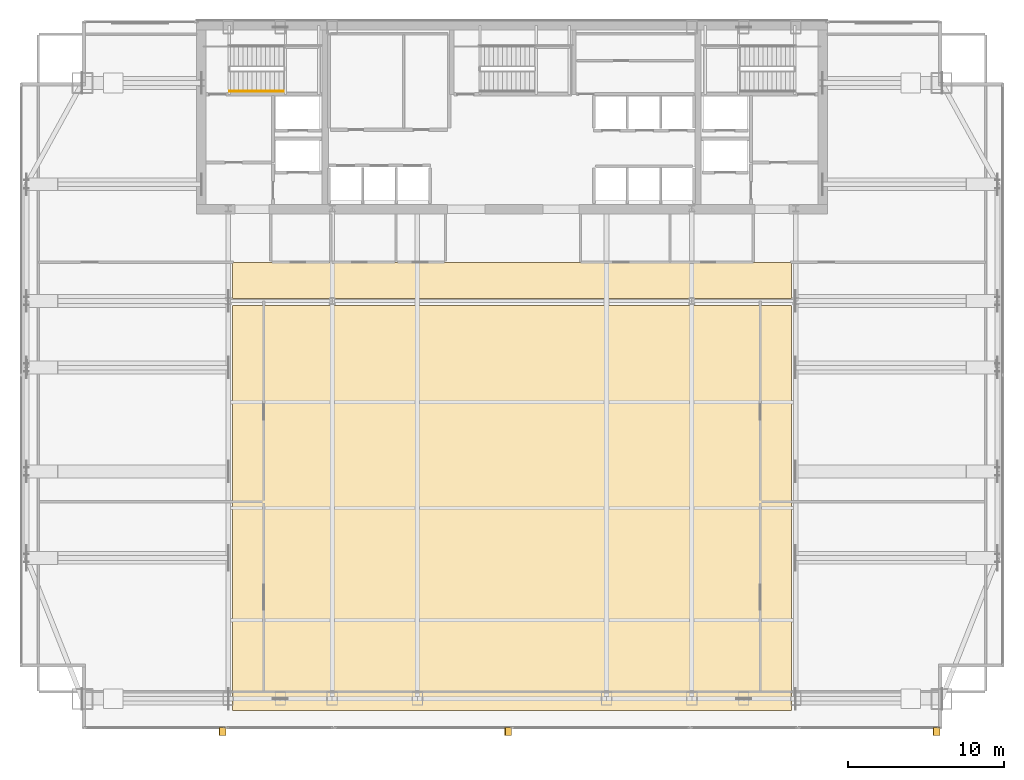
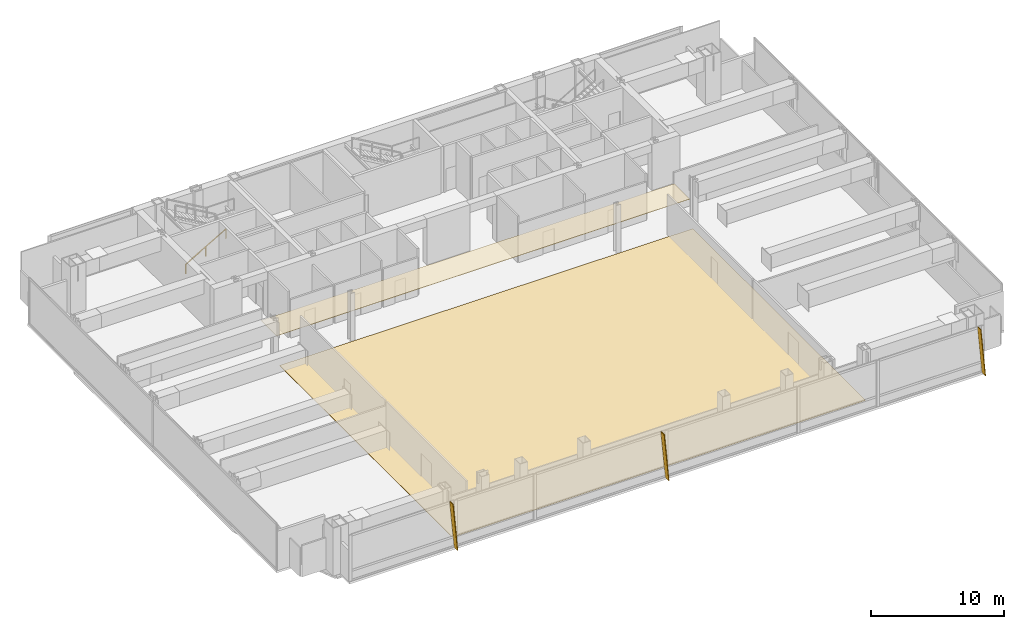
# One storey, part 24 of 25: 3 shading devices, 2 coverings, 1 railing.
"""IFC4 building model written with IfcOpenShell, lengths in metres."""

from ifc_helpers import new_model, si_unit, direction, frame, origin, origin_2d, place, context, subcontext, project, spatial, polyline, rectangle, outline, extrude, material, layer, layer_set, type_object, element, save


model = new_model("IFC4")

# Units and contexts
model_context = context("Model", 3, precision=1e-05, world=origin(), true_north=direction((0.0, 1.0)))
body_context = subcontext(model_context, "Body", "Model", "MODEL_VIEW")
ifc_project = project(units=[si_unit("LENGTHUNIT", "METRE"), si_unit("AREAUNIT", "SQUARE_METRE"), si_unit("VOLUMEUNIT", "CUBIC_METRE"), si_unit("PLANEANGLEUNIT", "RADIAN"), si_unit("MASSUNIT", "GRAM", prefix="KILO")], contexts=[model_context])

# Site, building, storey
site_placement = place(None, origin())
site = spatial("IfcSite", under=ifc_project, at=site_placement, CompositionType="ELEMENT")
building_placement = place(site_placement, origin())
building = spatial("IfcBuilding", under=site, at=building_placement, Name="Khoronbel Lancet Exchange", CompositionType="ELEMENT")
storey_placement = place(building_placement, frame((0.0, 0.0, 184.199951171875)))
storey = spatial("IfcBuildingStorey", under=building, at=storey_placement, Name="L46", CompositionType="ELEMENT", Elevation=184.199951171875)

# Coverings
ifc_material_1 = material(Name="Micro-Perforated Bronze Acoustic Metal Ceiling Tile", Category="aluminium")
ifc_layer_1 = layer(ifc_material_1, 0.0400390625, Name="Micro-Perforated Bronze Acoustic Metal Ceiling Tile")
ifc_layer_set_1 = layer_set([ifc_layer_1], Name="Micro-Perforated Bronze Acoustic Metal Ceiling Tile")
covering_type_1 = type_object("IfcCoveringType", Name="COV-CEIL1", PredefinedType="CEILING", material=ifc_layer_set_1)
covering_1_placement = place(storey_placement, frame((0.0, 0.0, 2.43994140625)))
element("IfcCovering", 1, at=covering_1_placement, inside=storey, type_object=covering_type_1, Name="Level L46 corridor acoustic metal ceiling", PredefinedType="CEILING", context=body_context, shape_type="SweptSolid", body=[
    extrude(outline(polyline([(18.5, 35.85009765625), (54.39990234375, 35.85009765625), (54.39990234375, 38.179931640625), (18.5, 38.179931640625), (18.5, 35.85009765625)])), origin(), (0.0, 0.0, 1.0), 0.0400390625),
])
ifc_material_2 = material(Name="Honed Egyptian Galala Marble & Raised Access Floor Finish", Category="masonry")
ifc_layer_2 = layer(ifc_material_2, 0.030029296875, Name="Honed Egyptian Galala Marble & Raised Access Floor Finish")
ifc_layer_set_2 = layer_set([ifc_layer_2], Name="Honed Egyptian Galala Marble & Raised Access Floor Finish")
covering_type_2 = type_object("IfcCoveringType", Name="COV-FLR1", PredefinedType="FLOORING", material=ifc_layer_set_2)
covering_2_placement = place(storey_placement, origin())
element("IfcCovering", 2, at=covering_2_placement, inside=storey, type_object=covering_type_2, Name="Level L46 anti-static raised access floor finish", PredefinedType="FLOORING", context=body_context, shape_type="SweptSolid", body=[
    extrude(outline(polyline([(18.5, 9.39990234375), (54.39990234375, 9.39990234375), (54.39990234375, 35.39990234375), (18.5, 35.39990234375), (18.5, 9.39990234375)])), origin(), (0.0, 0.0, 1.0), 0.030029296875),
])

# Railing
ifc_material_3 = material(Name="Brushed Stainless Steel 316", Category="steel")
railing_type = type_object("IfcRailingType", Name="RL-STH92", PredefinedType="HANDRAIL", material=ifc_material_3)
railing_placement = place(storey_placement, frame((18.300048828125, 49.169921875, 0.169189453125)))
element("IfcRailing", 3, at=railing_placement, inside=storey, type_object=railing_type, Name="L46 ST1 stair handrail 1", PredefinedType="HANDRAIL", context=body_context, shape_type="SweptSolid", body=[
    extrude(rectangle(XDim=0.048095703125, YDim=0.048095703125, at=origin_2d()), frame((0.0, 0.0, 0.8759765625), z_axis=(0.863695377172, 0.0, 0.504014181796), x_axis=(0.0, 1.0, 0.0)), (0.0, 0.0, 1.0), 4.029296875),
    extrude(rectangle(XDim=0.0419921875, YDim=0.0419921875, at=origin_2d()), origin(), (0.0, 0.0, 1.0), 0.851806640625),
    extrude(rectangle(XDim=0.0419921875, YDim=0.0419921875, at=origin_2d()), frame((1.739990234375, 0.0, 1.015380859375)), (0.0, 0.0, 1.0), 0.851806640625),
    extrude(rectangle(XDim=0.0419921875, YDim=0.0419921875, at=origin_2d()), frame((3.47998046875, 0.0, 2.03076171875)), (0.0, 0.0, 1.0), 0.851806640625),
])

# Shading devices
ifc_material_4 = material(Name="Bronze-Anodised Aluminium 6063-T6", Category="aluminium")
ifc_layer_3 = layer(ifc_material_4, 0.054931640625, Name="Bronze-Anodised Aluminium 6063-T6")
ifc_layer_set_3 = layer_set([ifc_layer_3], Name="Bronze-Anodised Aluminium 6063-T6")
shading_device_type = type_object("IfcShadingDeviceType", Name="SHD-FIN1", PredefinedType="USERDEFINED", material=ifc_layer_set_3)
for number, where, z_axis, x_axis, name in (
    (4, (18.072509765625, 8.31005859375, -0.079833984375), (0.995920588085, 0.0, 0.090234041411), (0.0, -1.0, 0.0), "Slanted bronze solar fin CW-L46-SWV-1"),
    (5, (36.422607421875, 8.31005859375, -0.079833984375), (0.995920588085, 0.0, 0.090234041411), (0.0, -1.0, 0.0), "Slanted bronze solar fin CW-L46-SCV-1"),
    (6, (63.9326171875, 8.31005859375, -0.079833984375), (0.995920588085, 0.0, 0.090234041411), (0.0, -1.0, 0.0), "Slanted bronze solar fin CW-L46-SEV-1"),
):
    element("IfcShadingDevice", number, at=place(storey_placement, frame(where, z_axis=z_axis, x_axis=x_axis)), inside=storey, type_object=shading_device_type, Name=name, ObjectType="FIN", PredefinedType="USERDEFINED", context=body_context, shape_type="SweptSolid", body=[
        extrude(outline(polyline([(0.0, 0.0), (0.52001953125, 0.0), (0.52001953125, -4.377685546875), (0.0, -4.377685546875), (0.0, 0.0)])), origin(), (0.0, 0.0, -1.0), 0.054931640625),
    ])

save(model, "model.ifc")
